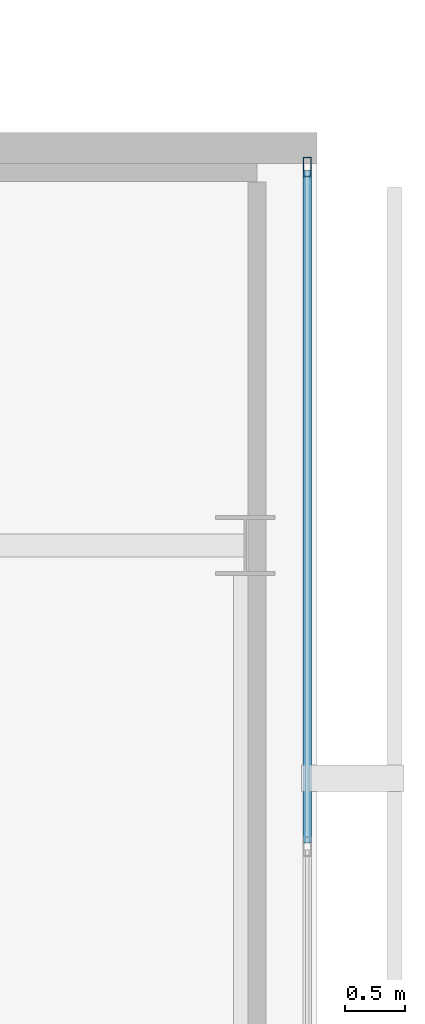
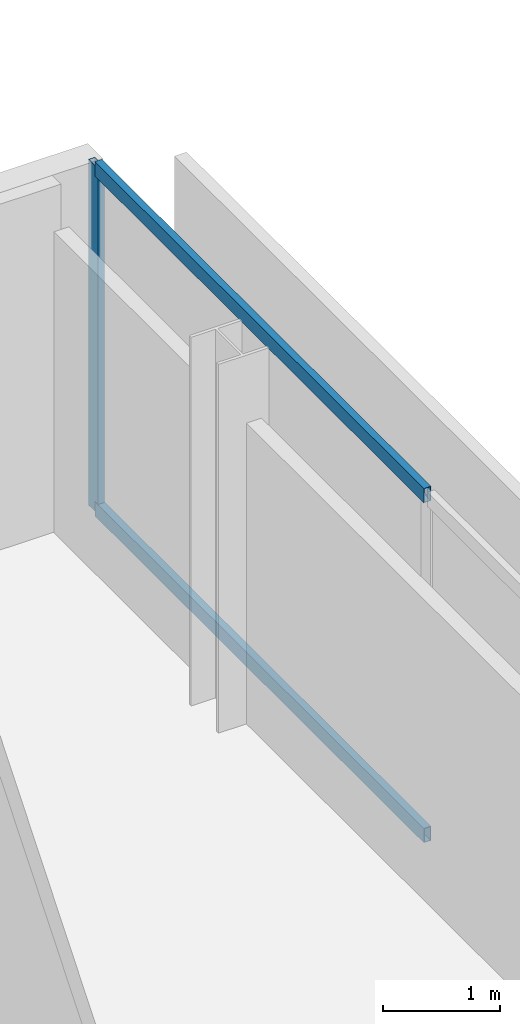
# One storey, part 15 of 24: 3 members, 1 element without a shape of its own.
"""IFC4 building model written with IfcOpenShell, lengths in metres."""

from ifc_helpers import new_model, si_unit, direction, frame, origin, origin_2d, place, context, subcontext, project, spatial, hollow_rectangle, extrude, material, layer, layer_set, material_profile, profile_set, type_object, element, aggregate, save


model = new_model("IFC4")

# Units and contexts
model_context = context("Model", 3, precision=1e-05, world=origin(), true_north=direction((0.0, 1.0)))
body_context = subcontext(model_context, "Body", "Model", "MODEL_VIEW")
ifc_project = project(units=[si_unit("LENGTHUNIT", "METRE"), si_unit("AREAUNIT", "SQUARE_METRE"), si_unit("VOLUMEUNIT", "CUBIC_METRE"), si_unit("PLANEANGLEUNIT", "RADIAN"), si_unit("MASSUNIT", "GRAM", prefix="KILO")], contexts=[model_context])

# Site, building, storey
site_placement = place(None, origin())
site = spatial("IfcSite", under=ifc_project, at=site_placement, CompositionType="ELEMENT")
building_placement = place(site_placement, origin())
building = spatial("IfcBuilding", under=site, at=building_placement, Name="Maruvema Waterfront Hotel and Observation Tower", CompositionType="ELEMENT")
storey_placement = place(building_placement, frame((0.0, 0.0, 333.550048828125)))
storey = spatial("IfcBuildingStorey", under=building, at=storey_placement, Name="L82", CompositionType="ELEMENT", Elevation=333.550048828125)

# Curtain wall, members
ifc_material_1 = material(Name="Anodised bronze aluminium and solar-control low-E IGU", Category="aluminium")
ifc_layer = layer(ifc_material_1, 0.159912109375, Name="Zone 4 Sky Residence Inner Curtain Wall System CW-05")
ifc_layer_set = layer_set([ifc_layer], Name="Anodised bronze aluminium and solar-control low-E IGU")
curtain_wall_type = type_object("IfcCurtainWallType", Name="Zone 4 Sky Residence Inner Curtain Wall System CW-05", PredefinedType="USERDEFINED", material=ifc_layer_set)
curtain_wall_placement = place(storey_placement, origin())
curtain_wall = element("IfcCurtainWall", 1, at=curtain_wall_placement, inside=storey, type_object=curtain_wall_type, Name="L82 Curtain Wall CW-L82-E", ObjectType="UNITISED CURTAIN WALL", PredefinedType="USERDEFINED")
ifc_material_2 = material(Name="Anodised architectural bronze aluminium", Category="aluminium")
ifc_material_profile_1 = material_profile(ifc_material_2, hollow_rectangle(XDim=0.070068359375, YDim=0.14990234375, WallThickness=0.00390625, at=origin_2d()), Name="ALU-T70x150")
ifc_profile_set_1 = profile_set([ifc_material_profile_1], Name="Anodised architectural bronze aluminium")
member_type_1 = type_object("IfcMemberType", Name="Curtain Wall Horizontal Transom ALU-T70x150", PredefinedType="USERDEFINED", material=ifc_profile_set_1)
member_1_placement = place(storey_placement, frame((57.820068359375, 42.510009765625, 0.030029296875), z_axis=(0.0, 1.0, 0.0), x_axis=(-1.0, 0.0, 0.0)))
member_1 = element("IfcMember", 2, at=member_1_placement, type_object=member_type_1, Name="CW-05 transom 5.1", ObjectType="TRANSOM", PredefinedType="USERDEFINED", context=body_context, shape_type="SweptSolid", body=[
    extrude(hollow_rectangle(XDim=0.070068359375, YDim=0.14990234375, WallThickness=0.00390625, at=origin_2d()), origin(), (0.0, 0.0, 1.0), 5.6298828125),
])
member_2_placement = place(storey_placement, frame((57.820068359375, 42.510009765625, 3.579833984375), z_axis=(0.0, 1.0, 0.0), x_axis=(-1.0, 0.0, 0.0)))
member_2 = element("IfcMember", 3, at=member_2_placement, type_object=member_type_1, Name="CW-05 transom 5.2", ObjectType="TRANSOM", PredefinedType="USERDEFINED", context=body_context, shape_type="SweptSolid", body=[
    extrude(hollow_rectangle(XDim=0.070068359375, YDim=0.14990234375, WallThickness=0.00390625, at=origin_2d()), origin(), (0.0, 0.0, 1.0), 5.6298828125),
])
ifc_material_3 = material(Name="Anodised architectural bronze aluminium", Category="aluminium")
ifc_material_profile_2 = material_profile(ifc_material_3, hollow_rectangle(XDim=0.06494140625, YDim=0.1650390625, WallThickness=0.00390625, at=origin_2d()), Name="ALU-M65x165")
ifc_profile_set_2 = profile_set([ifc_material_profile_2], Name="Anodised architectural bronze aluminium")
member_type_2 = type_object("IfcMemberType", Name="Curtain Wall Primary Mullion ALU-M65x165", PredefinedType="MULLION", material=ifc_profile_set_2)
member_3_placement = place(storey_placement, frame((57.820068359375, 48.169921875, 0.0), z_axis=(0.0, 0.0, 1.0), x_axis=(-1.0, 0.0, 0.0)))
member_3 = element("IfcMember", 4, at=member_3_placement, type_object=member_type_2, Name="CW-05 mullion 6", PredefinedType="MULLION", context=body_context, shape_type="SweptSolid", body=[
    extrude(hollow_rectangle(XDim=0.06494140625, YDim=0.1650390625, WallThickness=0.00390625, at=origin_2d()), origin(), (0.0, 0.0, 1.0), 3.60986328125),
])
aggregate(curtain_wall, [member_3, member_1, member_2])

save(model, "model.ifc")
